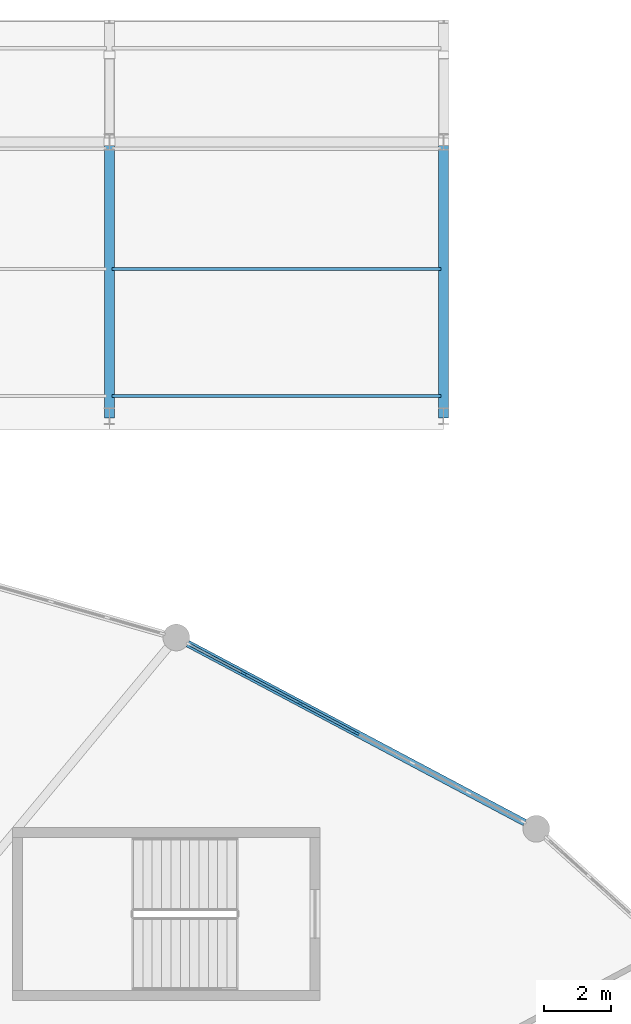
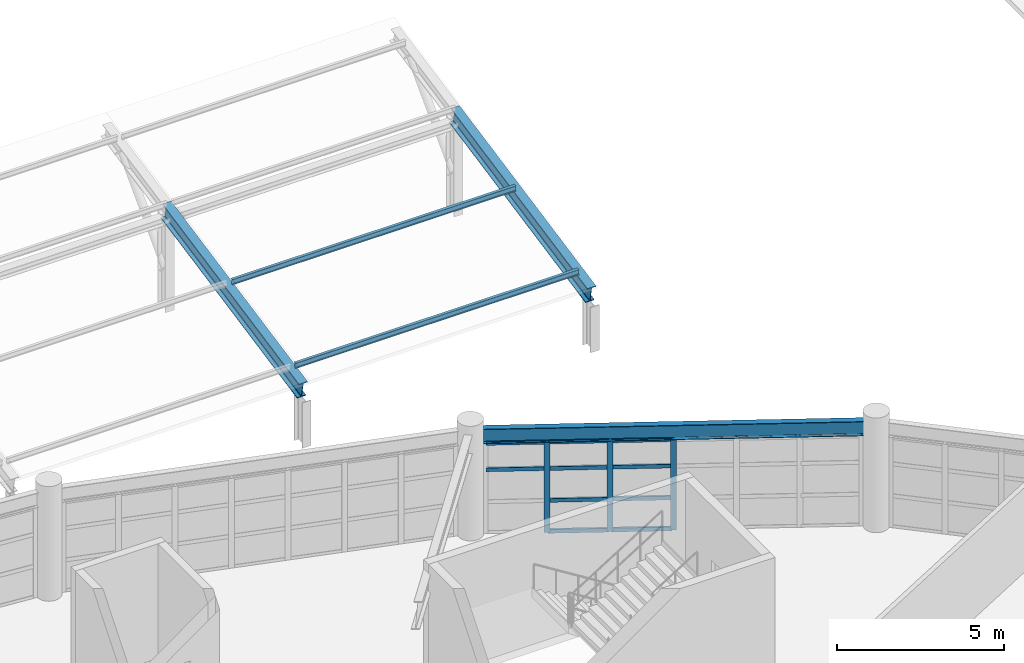
# One storey, part 46 of 100: 15 members, 3 beams, 1 element without a shape of its own.
"""IFC4 building model written with IfcOpenShell, lengths in metres."""

from ifc_helpers import new_model, si_unit, direction, frame, origin, origin_2d, place, context, subcontext, project, spatial, rectangle, i_section, extrude, material, layer, layer_set, material_profile, profile_set, type_object, element, aggregate, save


model = new_model("IFC4")

# Units and contexts
model_context = context("Model", 3, precision=1e-05, world=origin(), true_north=direction((0.0, 1.0)))
body_context = subcontext(model_context, "Body", "Model", "MODEL_VIEW")
ifc_project = project(units=[si_unit("LENGTHUNIT", "METRE"), si_unit("AREAUNIT", "SQUARE_METRE"), si_unit("VOLUMEUNIT", "CUBIC_METRE"), si_unit("PLANEANGLEUNIT", "RADIAN"), si_unit("MASSUNIT", "GRAM", prefix="KILO")], contexts=[model_context])

# Site, building, storey
site_placement = place(None, origin())
site = spatial("IfcSite", under=ifc_project, at=site_placement, CompositionType="ELEMENT")
building_placement = place(site_placement, origin())
building = spatial("IfcBuilding", under=site, at=building_placement, Name="Kivolera Central Railway Station", CompositionType="ELEMENT")
storey_placement = place(building_placement, frame((0.0, 0.0, 5.39990234375)))
storey = spatial("IfcBuildingStorey", under=building, at=storey_placement, Name="L01", CompositionType="ELEMENT", Elevation=5.39990234375)

# Beams
ifc_material_1 = material(Name="Steel S355", Category="steel")
ifc_material_profile_1 = material_profile(ifc_material_1, i_section(OverallWidth=0.300048828125, OverallDepth=0.60009765625, WebThickness=0.015380859375, FlangeThickness=0.030029296875, FilletRadius=0.027099609375, at=origin_2d()), Name="HEB 600")
ifc_profile_set_1 = profile_set([ifc_material_profile_1], Name="Steel S355")
beam_type_1 = type_object("IfcBeamType", Name="BM-CAN-MAIN", PredefinedType="BEAM", material=ifc_profile_set_1)
for number, where, z_axis, x_axis, name in (
    (1, (88.0, 127.800048828125, 1.940185546875), (0.0, 0.98058292142, 0.196104906159), (-1.0, 0.0, 0.0), "Forecourt Canopy Main Back-Span Girder 7"),
    (2, (98.0, 127.800048828125, 1.940185546875), (0.0, 0.98058292142, 0.196104906159), (-1.0, 0.0, 0.0), "Forecourt Canopy Main Back-Span Girder 8"),
):
    element("IfcBeam", number, at=place(storey_placement, frame(where, z_axis=z_axis, x_axis=x_axis)), inside=storey, type_object=beam_type_1, Name=name, PredefinedType="BEAM", context=body_context, shape_type="SweptSolid", body=[
        extrude(i_section(OverallWidth=0.300048828125, OverallDepth=0.60009765625, WebThickness=0.015380859375, FlangeThickness=0.030029296875, FilletRadius=0.027099609375, at=origin_2d()), origin(), (0.0, 0.0, 1.0), 8.3623046875),
    ])
ifc_material_profile_2 = material_profile(ifc_material_1, i_section(OverallWidth=0.209228515625, OverallDepth=0.533203125, WebThickness=0.010009765625, FlangeThickness=0.015625, FilletRadius=0.0126953125, at=origin_2d()), Name="UB 533x210x92")
ifc_profile_set_2 = profile_set([ifc_material_profile_2], Name="Steel S355")
beam_type_2 = type_object("IfcBeamType", Name="BM-SHD-UB533", PredefinedType="BEAM", material=ifc_profile_set_2)
beam_placement = place(storey_placement, frame((100.426025390625, 115.638916015625, 3.611083984375), z_axis=(-0.883155588993, 0.469080169725, 0.0), x_axis=(-0.469080169725, -0.883155588993, 0.0)))
element("IfcBeam", 3, at=beam_placement, inside=storey, type_object=beam_type_2, Name="L01 Oval Perimeter Ring Beam 04", PredefinedType="BEAM", context=body_context, shape_type="SweptSolid", body=[
    extrude(i_section(OverallWidth=0.209228515625, OverallDepth=0.533203125, WebThickness=0.010009765625, FlangeThickness=0.015625, FilletRadius=0.0126953125, at=origin_2d()), origin(), (0.0, 0.0, 1.0), 11.416015625),
])

# Curtain wall, members
ifc_material_2 = material(Name="Anodised aluminium", Category="aluminium")
ifc_layer = layer(ifc_material_2, 0.179931640625, Name="Anodised aluminium")
ifc_layer_set = layer_set([ifc_layer], Name="Anodised aluminium")
curtain_wall_type = type_object("IfcCurtainWallType", Name="CW-SYS-08", PredefinedType="NOTDEFINED", material=ifc_layer_set)
curtain_wall_placement = place(storey_placement, origin())
curtain_wall = element("IfcCurtainWall", 4, at=curtain_wall_placement, inside=storey, type_object=curtain_wall_type, Name="L01 Curtain Wall CW-L01-OVL-03", PredefinedType="NOTDEFINED")
ifc_material_profile_3 = material_profile(ifc_material_2, rectangle(XDim=0.070068359375, YDim=0.179931640625, at=origin_2d()), Name="ALU MULL 70x180")
ifc_profile_set_3 = profile_set([ifc_material_profile_3], Name="Anodised aluminium")
member_type_1 = type_object("IfcMemberType", Name="CWM-MUL-1", PredefinedType="MULLION", material=ifc_profile_set_3)
member_1_placement = place(storey_placement, frame((92.0302734375, 120.09814453125, -0.0048828125), z_axis=(0.0, 0.0, 1.0), x_axis=(0.469052563023, 0.883170251493, 0.0)))
member_1 = element("IfcMember", 5, at=member_1_placement, type_object=member_type_1, Name="CW-08 mullion 2", PredefinedType="MULLION", context=body_context, shape_type="SweptSolid", body=[
    extrude(rectangle(XDim=0.070068359375, YDim=0.179931640625, at=origin_2d()), origin(), (0.0, 0.0, 1.0), 3.344970703125),
])
member_2_placement = place(storey_placement, frame((93.707763671875, 119.207275390625, -0.0048828125), z_axis=(0.0, 0.0, 1.0), x_axis=(0.469052563023, 0.883170251493, 0.0)))
member_2 = element("IfcMember", 6, at=member_2_placement, type_object=member_type_1, Name="CW-08 mullion 3", PredefinedType="MULLION", context=body_context, shape_type="SweptSolid", body=[
    extrude(rectangle(XDim=0.070068359375, YDim=0.179931640625, at=origin_2d()), origin(), (0.0, 0.0, 1.0), 3.344970703125),
])
member_3_placement = place(storey_placement, frame((95.385009765625, 118.31640625, -0.0048828125), z_axis=(0.0, 0.0, 1.0), x_axis=(0.469052563023, 0.883170251493, 0.0)))
member_3 = element("IfcMember", 7, at=member_3_placement, type_object=member_type_1, Name="CW-08 mullion 4", PredefinedType="MULLION", context=body_context, shape_type="SweptSolid", body=[
    extrude(rectangle(XDim=0.070068359375, YDim=0.179931640625, at=origin_2d()), origin(), (0.0, 0.0, 1.0), 3.344970703125),
])
ifc_material_profile_4 = material_profile(ifc_material_2, rectangle(XDim=0.070068359375, YDim=0.139892578125, at=origin_2d()), Name="ALU TRAN 70x140")
ifc_profile_set_4 = profile_set([ifc_material_profile_4], Name="Anodised aluminium")
member_type_2 = type_object("IfcMemberType", Name="CWM-TRN-1", PredefinedType="USERDEFINED", material=ifc_profile_set_4)
member_4_placement = place(storey_placement, frame((90.414794921875, 120.9560546875, 2.338134765625), z_axis=(0.883191460259, -0.469012627255, 0.0), x_axis=(0.469012627255, 0.883191460259, 0.0)))
member_4 = element("IfcMember", 8, at=member_4_placement, type_object=member_type_2, Name="CW-08 transom 1.3", ObjectType="TRANSOM", PredefinedType="USERDEFINED", context=body_context, shape_type="SweptSolid", body=[
    extrude(rectangle(XDim=0.070068359375, YDim=0.139892578125, at=origin_2d()), origin(), (0.0, 0.0, 1.0), 1.794189453125),
])
member_5_placement = place(storey_placement, frame((90.414794921875, 120.9560546875, 3.30517578125), z_axis=(0.883191460259, -0.469012627255, 0.0), x_axis=(0.469012627255, 0.883191460259, 0.0)))
member_5 = element("IfcMember", 9, at=member_5_placement, type_object=member_type_2, Name="CW-08 transom 1.4", ObjectType="TRANSOM", PredefinedType="USERDEFINED", context=body_context, shape_type="SweptSolid", body=[
    extrude(rectangle(XDim=0.070068359375, YDim=0.139892578125, at=origin_2d()), origin(), (0.0, 0.0, 1.0), 1.794189453125),
])
member_6_placement = place(storey_placement, frame((92.061279296875, 120.081787109375, 0.03515625), z_axis=(0.883131271136, -0.469125951042, 0.0), x_axis=(0.469125951042, 0.883131271136, 0.0)))
member_6 = element("IfcMember", 10, at=member_6_placement, type_object=member_type_2, Name="CW-08 transom 2.1", ObjectType="TRANSOM", PredefinedType="USERDEFINED", context=body_context, shape_type="SweptSolid", body=[
    extrude(rectangle(XDim=0.070068359375, YDim=0.139892578125, at=origin_2d()), origin(), (0.0, 0.0, 1.0), 1.829345703125),
])
member_7_placement = place(storey_placement, frame((92.061279296875, 120.081787109375, 1.169189453125), z_axis=(0.883131271136, -0.469125951042, 0.0), x_axis=(0.469125951042, 0.883131271136, 0.0)))
member_7 = element("IfcMember", 11, at=member_7_placement, type_object=member_type_2, Name="CW-08 transom 2.2", ObjectType="TRANSOM", PredefinedType="USERDEFINED", context=body_context, shape_type="SweptSolid", body=[
    extrude(rectangle(XDim=0.070068359375, YDim=0.139892578125, at=origin_2d()), origin(), (0.0, 0.0, 1.0), 1.829345703125),
])
member_8_placement = place(storey_placement, frame((92.061279296875, 120.081787109375, 2.338134765625), z_axis=(0.883131271136, -0.469125951042, 0.0), x_axis=(0.469125951042, 0.883131271136, 0.0)))
member_8 = element("IfcMember", 12, at=member_8_placement, type_object=member_type_2, Name="CW-08 transom 2.3", ObjectType="TRANSOM", PredefinedType="USERDEFINED", context=body_context, shape_type="SweptSolid", body=[
    extrude(rectangle(XDim=0.070068359375, YDim=0.139892578125, at=origin_2d()), origin(), (0.0, 0.0, 1.0), 1.829345703125),
])
member_9_placement = place(storey_placement, frame((92.061279296875, 120.081787109375, 3.30517578125), z_axis=(0.883131271136, -0.469125951042, 0.0), x_axis=(0.469125951042, 0.883131271136, 0.0)))
member_9 = element("IfcMember", 13, at=member_9_placement, type_object=member_type_2, Name="CW-08 transom 2.4", ObjectType="TRANSOM", PredefinedType="USERDEFINED", context=body_context, shape_type="SweptSolid", body=[
    extrude(rectangle(XDim=0.070068359375, YDim=0.139892578125, at=origin_2d()), origin(), (0.0, 0.0, 1.0), 1.829345703125),
])
member_10_placement = place(storey_placement, frame((93.738525390625, 119.19091796875, 0.03515625), z_axis=(0.88318656257, -0.469021849913, 0.0), x_axis=(0.469021849913, 0.88318656257, 0.0)))
member_10 = element("IfcMember", 14, at=member_10_placement, type_object=member_type_2, Name="CW-08 transom 3.1", ObjectType="TRANSOM", PredefinedType="USERDEFINED", context=body_context, shape_type="SweptSolid", body=[
    extrude(rectangle(XDim=0.070068359375, YDim=0.139892578125, at=origin_2d()), origin(), (0.0, 0.0, 1.0), 1.8291015625),
])
member_11_placement = place(storey_placement, frame((93.738525390625, 119.19091796875, 1.169189453125), z_axis=(0.88318656257, -0.469021849913, 0.0), x_axis=(0.469021849913, 0.88318656257, 0.0)))
member_11 = element("IfcMember", 15, at=member_11_placement, type_object=member_type_2, Name="CW-08 transom 3.2", ObjectType="TRANSOM", PredefinedType="USERDEFINED", context=body_context, shape_type="SweptSolid", body=[
    extrude(rectangle(XDim=0.070068359375, YDim=0.139892578125, at=origin_2d()), origin(), (0.0, 0.0, 1.0), 1.8291015625),
])
member_12_placement = place(storey_placement, frame((93.738525390625, 119.19091796875, 2.338134765625), z_axis=(0.88318656257, -0.469021849913, 0.0), x_axis=(0.469021849913, 0.88318656257, 0.0)))
member_12 = element("IfcMember", 16, at=member_12_placement, type_object=member_type_2, Name="CW-08 transom 3.3", ObjectType="TRANSOM", PredefinedType="USERDEFINED", context=body_context, shape_type="SweptSolid", body=[
    extrude(rectangle(XDim=0.070068359375, YDim=0.139892578125, at=origin_2d()), origin(), (0.0, 0.0, 1.0), 1.8291015625),
])
member_13_placement = place(storey_placement, frame((93.738525390625, 119.19091796875, 3.30517578125), z_axis=(0.88318656257, -0.469021849913, 0.0), x_axis=(0.469021849913, 0.88318656257, 0.0)))
member_13 = element("IfcMember", 17, at=member_13_placement, type_object=member_type_2, Name="CW-08 transom 3.4", ObjectType="TRANSOM", PredefinedType="USERDEFINED", context=body_context, shape_type="SweptSolid", body=[
    extrude(rectangle(XDim=0.070068359375, YDim=0.139892578125, at=origin_2d()), origin(), (0.0, 0.0, 1.0), 1.8291015625),
])
aggregate(curtain_wall, [member_1, member_2, member_3, member_4, member_5, member_6, member_7, member_8, member_9, member_10, member_11, member_12, member_13])

# Members
ifc_material_profile_5 = material_profile(ifc_material_1, i_section(OverallWidth=0.10009765625, OverallDepth=0.199951171875, WebThickness=0.005615234375, FlangeThickness=0.008544921875, FilletRadius=0.011962890625, at=origin_2d()), Name="IPE 200")
ifc_profile_set_5 = profile_set([ifc_material_profile_5], Name="Steel S355")
member_type_3 = type_object("IfcMemberType", Name="MEM-PUR-IPE200", PredefinedType="PURLIN", material=ifc_profile_set_5)
for number, where, z_axis, x_axis, name in (
    (18, (88.080078125, 128.39990234375, 2.4521484375), (1.0, 0.0, 0.0), (0.0, 1.0, 0.0), "Forecourt Canopy Purlin 88-1"),
    (19, (88.080078125, 132.199951171875, 3.212158203125), (1.0, 0.0, 0.0), (0.0, 1.0, 0.0), "Forecourt Canopy Purlin 88-2"),
):
    element("IfcMember", number, at=place(storey_placement, frame(where, z_axis=z_axis, x_axis=x_axis)), inside=storey, type_object=member_type_3, Name=name, PredefinedType="PURLIN", context=body_context, shape_type="SweptSolid", body=[
        extrude(i_section(OverallWidth=0.10009765625, OverallDepth=0.199951171875, WebThickness=0.005615234375, FlangeThickness=0.008544921875, FilletRadius=0.011962890625, at=origin_2d()), origin(), (0.0, 0.0, 1.0), 9.83984375),
    ])

save(model, "model.ifc")
